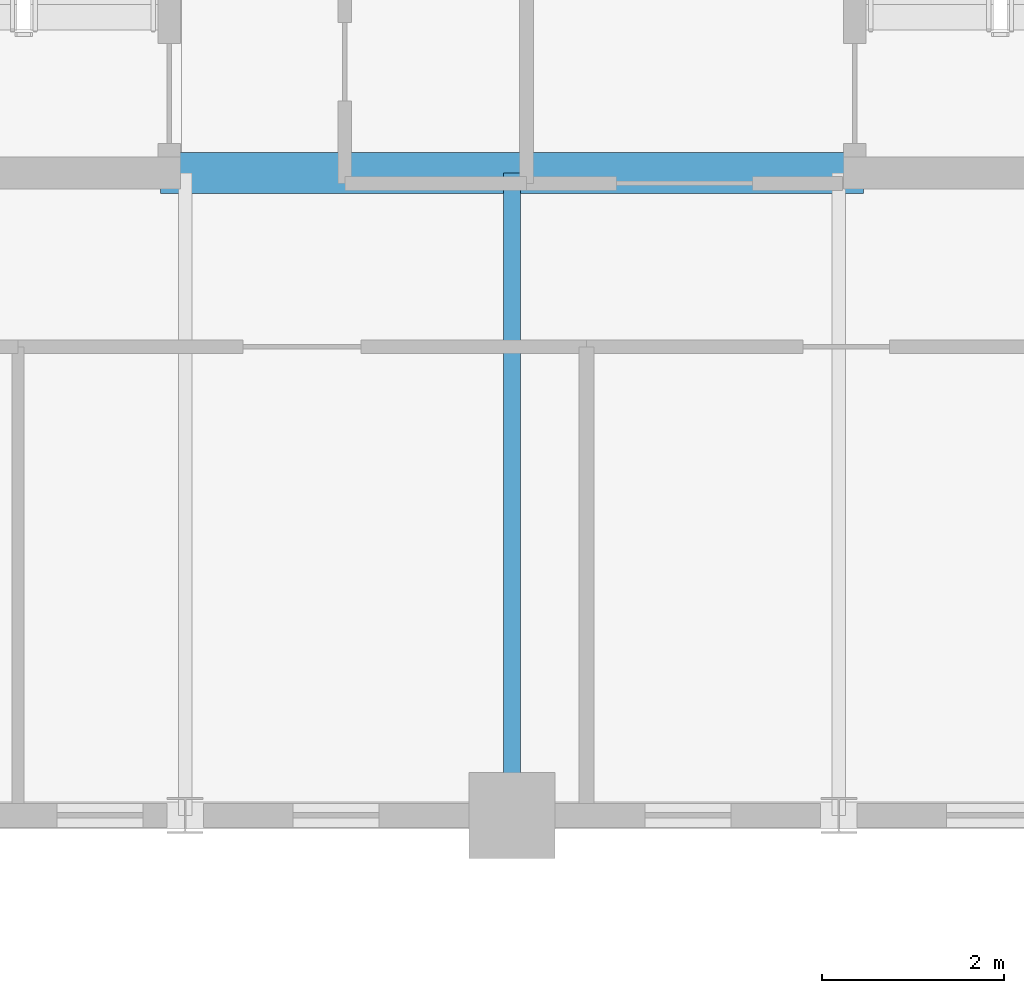
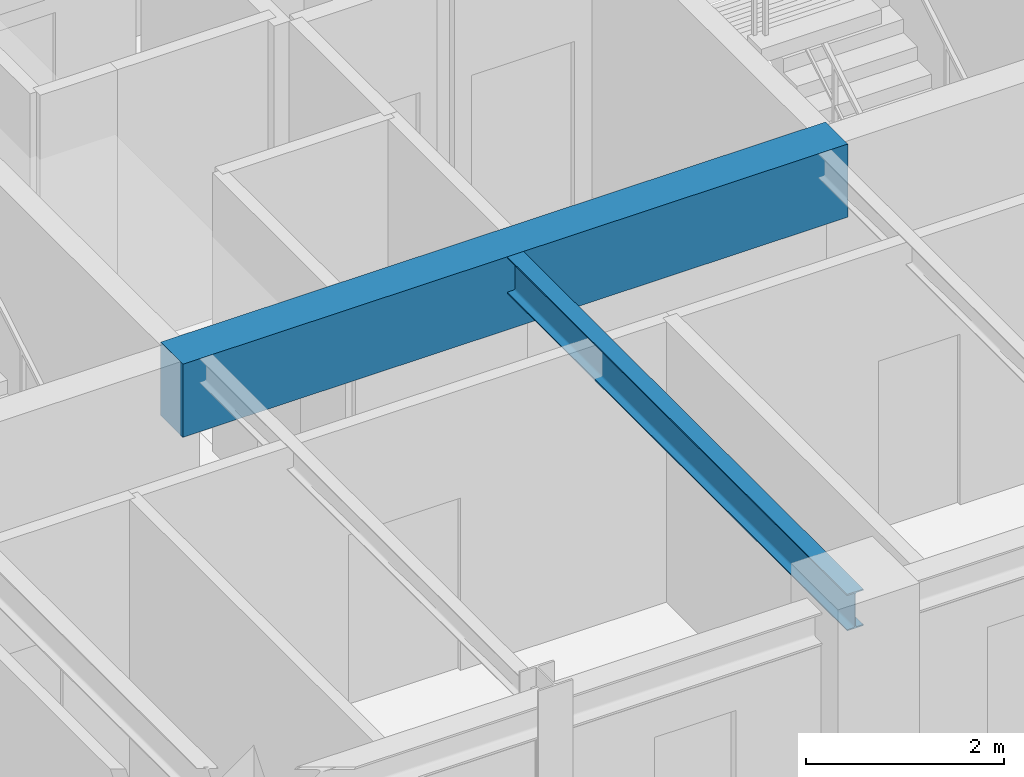
# One storey, part 7 of 20: 2 beams.
"""IFC4 building model written with IfcOpenShell, lengths in metres."""

from ifc_helpers import new_model, si_unit, direction, frame, origin, origin_2d, place, context, subcontext, project, spatial, rectangle, i_section, extrude, source, transform, mapped, material, material_profile, profile_set, type_object, element, save


model = new_model("IFC4")

# Units and contexts
model_context = context("Model", 3, precision=1e-05, world=origin(), true_north=direction((0.0, 1.0)))
body_context = subcontext(model_context, "Body", "Model", "MODEL_VIEW")
ifc_project = project(units=[si_unit("LENGTHUNIT", "METRE"), si_unit("AREAUNIT", "SQUARE_METRE"), si_unit("VOLUMEUNIT", "CUBIC_METRE"), si_unit("PLANEANGLEUNIT", "RADIAN"), si_unit("MASSUNIT", "GRAM", prefix="KILO")], contexts=[model_context])

# Site, building, storey
site_placement = place(None, origin())
site = spatial("IfcSite", under=ifc_project, at=site_placement, CompositionType="ELEMENT")
building_placement = place(site_placement, origin())
building = spatial("IfcBuilding", under=site, at=building_placement, Name="Kaliganga Portal Commons", CompositionType="ELEMENT")
storey_placement = place(building_placement, frame((0.0, 0.0, 216.60009765625)))
storey = spatial("IfcBuildingStorey", under=building, at=storey_placement, Name="L55", CompositionType="ELEMENT", Elevation=216.60009765625)

# Beams
ifc_material_1 = material(Name="Concrete C50/60", Category="concrete")
ifc_material_profile_1 = material_profile(ifc_material_1, rectangle(XDim=0.449951171875, YDim=0.89990234375, at=origin_2d()), Name="RC 450x900")
ifc_profile_set_1 = profile_set([ifc_material_profile_1], Name="Concrete C50/60")
beam_type_1 = type_object("IfcBeamType", Name="BM-CPL-900", PredefinedType="LINTEL", material=ifc_profile_set_1)
shared_shape_1 = source(origin(), body_context, "Body", "SweptSolid", [
    extrude(rectangle(XDim=0.449951171875, YDim=0.89990234375, at=origin_2d()), origin(), (0.0, 0.0, 1.0), 7.739990234375),
])
beam_1_placement = place(storey_placement, frame((17.72998046875, 28.675048828125, 3.02001953125), z_axis=(1.0, 0.0, 0.0), x_axis=(0.0, 1.0, 0.0)))
element("IfcBeam", 1, at=beam_1_placement, inside=storey, type_object=beam_type_1, Name="BM CPL COREA L55 S", PredefinedType="LINTEL", context=body_context, shape_type="MappedRepresentation", body=[
    mapped(shared_shape_1, transform((0.0, 0.0, 0.0), x_axis=(1.0, 0.0, 0.0), y_axis=(0.0, 1.0, 0.0), z_axis=(0.0, 0.0, 1.0), scale=1.0)),
])
ifc_material_2 = material(Name="Structural steel S355J2", Category="steel")
ifc_material_profile_2 = material_profile(ifc_material_2, i_section(OverallWidth=0.18994140625, OverallDepth=0.449951171875, WebThickness=0.009521484375, FlangeThickness=0.0146484375, FilletRadius=0.02099609375, at=origin_2d()), Name="IPE 450")
ifc_profile_set_2 = profile_set([ifc_material_profile_2], Name="Structural steel S355J2 wide-flange")
beam_type_2 = type_object("IfcBeamType", Name="BM-FLR-450", PredefinedType="BEAM", material=ifc_profile_set_2)
shared_shape_2 = source(origin(), body_context, "Body", "SweptSolid", [
    extrude(i_section(OverallWidth=0.18994140625, OverallDepth=0.449951171875, WebThickness=0.009521484375, FlangeThickness=0.0146484375, FilletRadius=0.02099609375, at=origin_2d()), origin(), (0.0, 0.0, 1.0), 7.074951171875),
])
beam_2_placement = place(storey_placement, frame((21.60009765625, 21.60009765625, 3.244873046875), z_axis=(0.0, 1.0, 0.0), x_axis=(-1.0, 0.0, 0.0)))
element("IfcBeam", 2, at=beam_2_placement, inside=storey, type_object=beam_type_2, Name="BM G L55 AS216", PredefinedType="BEAM", context=body_context, shape_type="MappedRepresentation", body=[
    mapped(shared_shape_2, transform((0.0, 0.0, 0.0), x_axis=(1.0, 0.0, 0.0), y_axis=(0.0, 1.0, 0.0), z_axis=(0.0, 0.0, 1.0), scale=1.0)),
])

save(model, "model.ifc")
